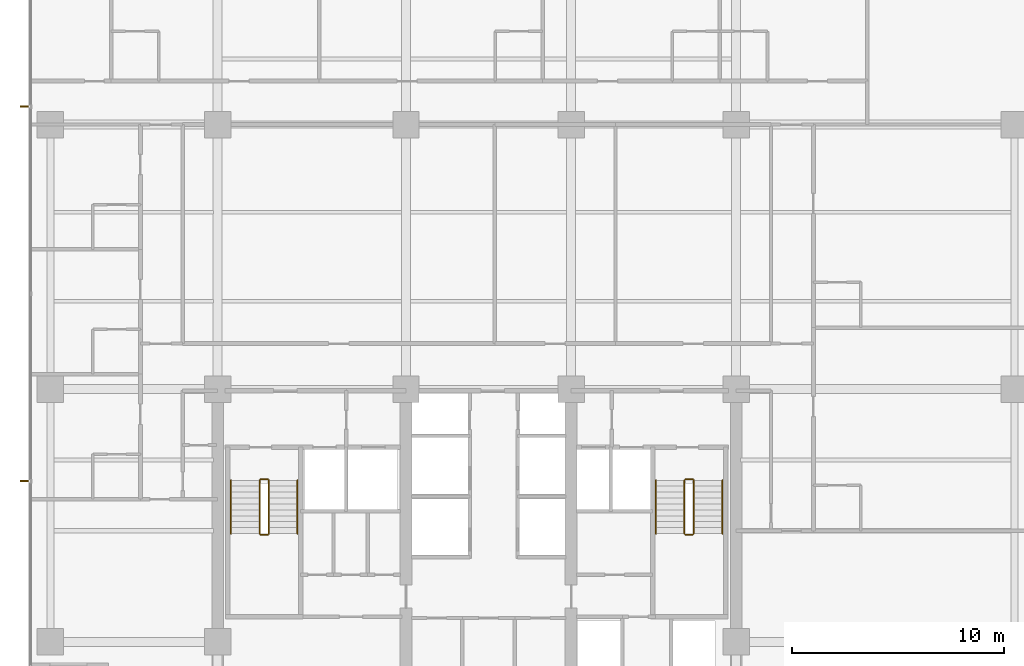
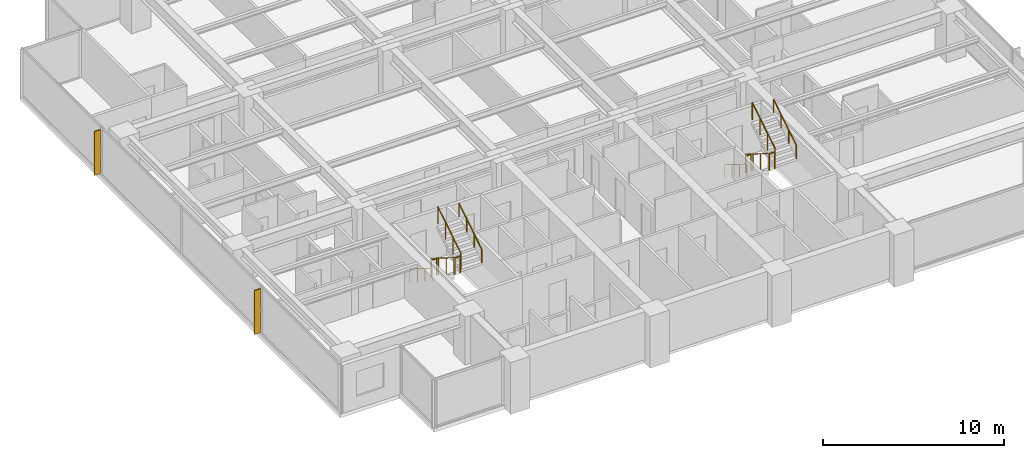
# One storey, part 16 of 17: 12 railings, 2 shading devices.
"""IFC4 building model written with IfcOpenShell, lengths in metres."""

from ifc_helpers import new_model, si_unit, direction, frame, origin, origin_2d, place, context, subcontext, project, spatial, polyline, circle, outline, extrude, material, layer, layer_set, type_object, element, save


model = new_model("IFC4")

# Units and contexts
model_context = context("Model", 3, precision=1e-05, world=origin(), true_north=direction((0.0, 1.0)))
body_context = subcontext(model_context, "Body", "Model", "MODEL_VIEW")
ifc_project = project(units=[si_unit("LENGTHUNIT", "METRE"), si_unit("AREAUNIT", "SQUARE_METRE"), si_unit("VOLUMEUNIT", "CUBIC_METRE"), si_unit("PLANEANGLEUNIT", "RADIAN"), si_unit("MASSUNIT", "GRAM", prefix="KILO")], contexts=[model_context])

# Site, building, storey
site_placement = place(None, origin())
site = spatial("IfcSite", under=ifc_project, at=site_placement, CompositionType="ELEMENT")
building_placement = place(site_placement, origin())
building = spatial("IfcBuilding", under=site, at=building_placement, Name="Qalmaran Belvedere Hotel", CompositionType="ELEMENT")
storey_placement = place(building_placement, frame((0.0, 0.0, 98.699951171875)))
storey = spatial("IfcBuildingStorey", under=building, at=storey_placement, Name="L24", CompositionType="ELEMENT", Elevation=98.699951171875)

# Shading devices
ifc_material_1 = material(Name="Anodised Bronze Aluminium", Category="aluminium")
ifc_layer = layer(ifc_material_1, 0.06494140625, Name="Anodised Bronze Aluminium")
ifc_layer_set = layer_set([ifc_layer], Name="Anodised Bronze Aluminium")
shading_device_type = type_object("IfcShadingDeviceType", Name="FIN-BRNZ-420", PredefinedType="USERDEFINED", material=ifc_layer_set)
shading_device_1_placement = place(storey_placement, frame((0.0, 0.0, 0.16015625)))
element("IfcShadingDevice", 1, at=shading_device_1_placement, inside=storey, type_object=shading_device_type, Name="L24 Bronze Fin 1", ObjectType="FIN", PredefinedType="USERDEFINED", context=body_context, shape_type="SweptSolid", body=[
    extrude(outline(polyline([(11.3798828125, 33.882568359375), (10.9599609375, 33.882568359375), (10.9599609375, 33.8173828125), (11.3798828125, 33.8173828125), (11.3798828125, 33.882568359375)])), origin(), (0.0, 0.0, 1.0), 2.9599609375),
])
shading_device_2_placement = place(storey_placement, frame((0.0, 0.0, 0.16015625)))
element("IfcShadingDevice", 2, at=shading_device_2_placement, inside=storey, type_object=shading_device_type, Name="L24 Bronze Fin 3", ObjectType="FIN", PredefinedType="USERDEFINED", context=body_context, shape_type="SweptSolid", body=[
    extrude(outline(polyline([(11.3798828125, 16.1826171875), (10.9599609375, 16.1826171875), (10.9599609375, 16.117431640625), (11.3798828125, 16.117431640625), (11.3798828125, 16.1826171875)])), origin(), (0.0, 0.0, 1.0), 2.9599609375),
])

# Railings
ifc_material_2 = material(Name="Stainless Steel 1.4401", Category="steel")
railing_type_1 = type_object("IfcRailingType", Name="RLG-STAIR-GUARD-1150", PredefinedType="GUARDRAIL", material=ifc_material_2)
railing_1_placement = place(storey_placement, frame((22.280029296875, 16.18994140625, 0.175048828125)))
element("IfcRailing", 3, at=railing_1_placement, inside=storey, type_object=railing_type_1, Name="L24 ST-1 stair guard 1", PredefinedType="GUARDRAIL", context=body_context, shape_type="SweptSolid", body=[
    extrude(circle(Radius=0.02392578125, at=origin_2d()), frame((0.0, 0.0, 1.1259765625), z_axis=(0.0, -0.848007534815, 0.529984170421), x_axis=(1.0, 0.0, 0.0)), (0.0, 0.0, 1.0), 2.9716796875),
    extrude(circle(Radius=0.02099609375, at=origin_2d()), origin(), (0.0, 0.0, 1.0), 1.101806640625),
    extrude(circle(Radius=0.02099609375, at=origin_2d()), frame((0.0, -0.840087890625, 0.52490234375)), (0.0, 0.0, 1.0), 1.101806640625),
    extrude(circle(Radius=0.02099609375, at=origin_2d()), frame((0.0, -1.679931640625, 1.050048828125)), (0.0, 0.0, 1.0), 1.101806640625),
    extrude(circle(Radius=0.02099609375, at=origin_2d()), frame((0.0, -2.52001953125, 1.574951171875)), (0.0, 0.0, 1.0), 1.101806640625),
])
railing_2_placement = place(storey_placement, frame((22.330078125, 13.6201171875, 1.75)))
element("IfcRailing", 4, at=railing_2_placement, inside=storey, type_object=railing_type_1, Name="L24 ST-1 stair guard 2", PredefinedType="GUARDRAIL", context=body_context, shape_type="SweptSolid", body=[
    extrude(circle(Radius=0.02392578125, at=origin_2d()), frame((0.0, 0.0, 1.1259765625), z_axis=(1.0, 0.0, 0.0), x_axis=(0.0, 1.0, 0.0)), (0.0, 0.0, 1.0), 0.33984375),
    extrude(circle(Radius=0.02099609375, at=origin_2d()), origin(), (0.0, 0.0, 1.0), 1.101806640625),
    extrude(circle(Radius=0.02099609375, at=origin_2d()), frame((0.33984375, 0.0, 0.0)), (0.0, 0.0, 1.0), 1.101806640625),
])
railing_3_placement = place(storey_placement, frame((22.719970703125, 13.669921875, 1.925048828125)))
element("IfcRailing", 5, at=railing_3_placement, inside=storey, type_object=railing_type_1, Name="L24 ST-1 stair guard 3", PredefinedType="GUARDRAIL", context=body_context, shape_type="SweptSolid", body=[
    extrude(circle(Radius=0.02392578125, at=origin_2d()), frame((0.0, 0.0, 1.1259765625), z_axis=(0.0, 0.848007534815, 0.529984170421), x_axis=(-1.0, 0.0, 0.0)), (0.0, 0.0, 1.0), 2.9716796875),
    extrude(circle(Radius=0.02099609375, at=origin_2d()), origin(), (0.0, 0.0, 1.0), 1.101806640625),
    extrude(circle(Radius=0.02099609375, at=origin_2d()), frame((0.0, 0.840087890625, 0.52490234375)), (0.0, 0.0, 1.0), 1.101806640625),
    extrude(circle(Radius=0.02099609375, at=origin_2d()), frame((0.0, 1.679931640625, 1.050048828125)), (0.0, 0.0, 1.0), 1.101806640625),
    extrude(circle(Radius=0.02099609375, at=origin_2d()), frame((0.0, 2.52001953125, 1.574951171875)), (0.0, 0.0, 1.0), 1.101806640625),
])
railing_4_placement = place(storey_placement, frame((22.330078125, 16.239990234375, 0.0)))
element("IfcRailing", 6, at=railing_4_placement, inside=storey, type_object=railing_type_1, Name="L24 ST-1 stair guard 4", PredefinedType="GUARDRAIL", context=body_context, shape_type="SweptSolid", body=[
    extrude(circle(Radius=0.02392578125, at=origin_2d()), frame((0.0, 0.0, 1.1259765625), z_axis=(1.0, 0.0, 0.0), x_axis=(0.0, 1.0, 0.0)), (0.0, 0.0, 1.0), 0.33984375),
    extrude(circle(Radius=0.02099609375, at=origin_2d()), origin(), (0.0, 0.0, 1.0), 1.101806640625),
    extrude(circle(Radius=0.02099609375, at=origin_2d()), frame((0.33984375, 0.0, 0.0)), (0.0, 0.0, 1.0), 1.101806640625),
])
railing_5_placement = place(storey_placement, frame((42.360107421875, 16.18994140625, 0.175048828125)))
element("IfcRailing", 7, at=railing_5_placement, inside=storey, type_object=railing_type_1, Name="L24 ST-2 stair guard 1", PredefinedType="GUARDRAIL", context=body_context, shape_type="SweptSolid", body=[
    extrude(circle(Radius=0.02392578125, at=origin_2d()), frame((0.0, 0.0, 1.1259765625), z_axis=(0.0, -0.848007534815, 0.529984170421), x_axis=(1.0, 0.0, 0.0)), (0.0, 0.0, 1.0), 2.9716796875),
    extrude(circle(Radius=0.02099609375, at=origin_2d()), origin(), (0.0, 0.0, 1.0), 1.101806640625),
    extrude(circle(Radius=0.02099609375, at=origin_2d()), frame((0.0, -0.840087890625, 0.52490234375)), (0.0, 0.0, 1.0), 1.101806640625),
    extrude(circle(Radius=0.02099609375, at=origin_2d()), frame((0.0, -1.679931640625, 1.050048828125)), (0.0, 0.0, 1.0), 1.101806640625),
    extrude(circle(Radius=0.02099609375, at=origin_2d()), frame((0.0, -2.52001953125, 1.574951171875)), (0.0, 0.0, 1.0), 1.101806640625),
])
railing_6_placement = place(storey_placement, frame((42.409912109375, 13.6201171875, 1.75)))
element("IfcRailing", 8, at=railing_6_placement, inside=storey, type_object=railing_type_1, Name="L24 ST-2 stair guard 2", PredefinedType="GUARDRAIL", context=body_context, shape_type="SweptSolid", body=[
    extrude(circle(Radius=0.02392578125, at=origin_2d()), frame((0.0, 0.0, 1.1259765625), z_axis=(1.0, 0.0, 0.0), x_axis=(0.0, 1.0, 0.0)), (0.0, 0.0, 1.0), 0.340087890625),
    extrude(circle(Radius=0.02099609375, at=origin_2d()), origin(), (0.0, 0.0, 1.0), 1.101806640625),
    extrude(circle(Radius=0.02099609375, at=origin_2d()), frame((0.340087890625, 0.0, 0.0)), (0.0, 0.0, 1.0), 1.101806640625),
])
railing_7_placement = place(storey_placement, frame((42.800048828125, 13.669921875, 1.925048828125)))
element("IfcRailing", 9, at=railing_7_placement, inside=storey, type_object=railing_type_1, Name="L24 ST-2 stair guard 3", PredefinedType="GUARDRAIL", context=body_context, shape_type="SweptSolid", body=[
    extrude(circle(Radius=0.02392578125, at=origin_2d()), frame((0.0, 0.0, 1.1259765625), z_axis=(0.0, 0.848007534815, 0.529984170421), x_axis=(-1.0, 0.0, 0.0)), (0.0, 0.0, 1.0), 2.9716796875),
    extrude(circle(Radius=0.02099609375, at=origin_2d()), origin(), (0.0, 0.0, 1.0), 1.101806640625),
    extrude(circle(Radius=0.02099609375, at=origin_2d()), frame((0.0, 0.840087890625, 0.52490234375)), (0.0, 0.0, 1.0), 1.101806640625),
    extrude(circle(Radius=0.02099609375, at=origin_2d()), frame((0.0, 1.679931640625, 1.050048828125)), (0.0, 0.0, 1.0), 1.101806640625),
    extrude(circle(Radius=0.02099609375, at=origin_2d()), frame((0.0, 2.52001953125, 1.574951171875)), (0.0, 0.0, 1.0), 1.101806640625),
])
railing_8_placement = place(storey_placement, frame((42.409912109375, 16.239990234375, 0.0)))
element("IfcRailing", 10, at=railing_8_placement, inside=storey, type_object=railing_type_1, Name="L24 ST-2 stair guard 4", PredefinedType="GUARDRAIL", context=body_context, shape_type="SweptSolid", body=[
    extrude(circle(Radius=0.02392578125, at=origin_2d()), frame((0.0, 0.0, 1.1259765625), z_axis=(1.0, 0.0, 0.0), x_axis=(0.0, 1.0, 0.0)), (0.0, 0.0, 1.0), 0.340087890625),
    extrude(circle(Radius=0.02099609375, at=origin_2d()), origin(), (0.0, 0.0, 1.0), 1.101806640625),
    extrude(circle(Radius=0.02099609375, at=origin_2d()), frame((0.340087890625, 0.0, 0.0)), (0.0, 0.0, 1.0), 1.101806640625),
])
railing_type_2 = type_object("IfcRailingType", Name="RLG-STAIR-HAND-910", PredefinedType="HANDRAIL", material=ifc_material_2)
railing_9_placement = place(storey_placement, frame((20.929931640625, 16.18994140625, 0.175048828125)))
element("IfcRailing", 11, at=railing_9_placement, inside=storey, type_object=railing_type_2, Name="L24 ST-1 stair handrail 1", PredefinedType="HANDRAIL", context=body_context, shape_type="SweptSolid", body=[
    extrude(circle(Radius=0.02392578125, at=origin_2d()), frame((0.0, 0.0, 0.8857421875), z_axis=(0.0, -0.848007534815, 0.529984170421), x_axis=(1.0, 0.0, 0.0)), (0.0, 0.0, 1.0), 2.9716796875),
    extrude(circle(Radius=0.02099609375, at=origin_2d()), origin(), (0.0, 0.0, 1.0), 0.86181640625),
    extrude(circle(Radius=0.02099609375, at=origin_2d()), frame((0.0, -0.840087890625, 0.52490234375)), (0.0, 0.0, 1.0), 0.86181640625),
    extrude(circle(Radius=0.02099609375, at=origin_2d()), frame((0.0, -1.679931640625, 1.050048828125)), (0.0, 0.0, 1.0), 0.86181640625),
    extrude(circle(Radius=0.02099609375, at=origin_2d()), frame((0.0, -2.52001953125, 1.574951171875)), (0.0, 0.0, 1.0), 0.86181640625),
])
railing_10_placement = place(storey_placement, frame((24.070068359375, 13.669921875, 1.925048828125)))
element("IfcRailing", 12, at=railing_10_placement, inside=storey, type_object=railing_type_2, Name="L24 ST-1 stair handrail 2", PredefinedType="HANDRAIL", context=body_context, shape_type="SweptSolid", body=[
    extrude(circle(Radius=0.02392578125, at=origin_2d()), frame((0.0, 0.0, 0.8857421875), z_axis=(0.0, 0.848007534815, 0.529984170421), x_axis=(-1.0, 0.0, 0.0)), (0.0, 0.0, 1.0), 2.9716796875),
    extrude(circle(Radius=0.02099609375, at=origin_2d()), origin(), (0.0, 0.0, 1.0), 0.86181640625),
    extrude(circle(Radius=0.02099609375, at=origin_2d()), frame((0.0, 0.840087890625, 0.52490234375)), (0.0, 0.0, 1.0), 0.86181640625),
    extrude(circle(Radius=0.02099609375, at=origin_2d()), frame((0.0, 1.679931640625, 1.050048828125)), (0.0, 0.0, 1.0), 0.86181640625),
    extrude(circle(Radius=0.02099609375, at=origin_2d()), frame((0.0, 2.52001953125, 1.574951171875)), (0.0, 0.0, 1.0), 0.86181640625),
])
railing_11_placement = place(storey_placement, frame((41.010009765625, 16.18994140625, 0.175048828125)))
element("IfcRailing", 13, at=railing_11_placement, inside=storey, type_object=railing_type_2, Name="L24 ST-2 stair handrail 1", PredefinedType="HANDRAIL", context=body_context, shape_type="SweptSolid", body=[
    extrude(circle(Radius=0.02392578125, at=origin_2d()), frame((0.0, 0.0, 0.8857421875), z_axis=(0.0, -0.848007534815, 0.529984170421), x_axis=(1.0, 0.0, 0.0)), (0.0, 0.0, 1.0), 2.9716796875),
    extrude(circle(Radius=0.02099609375, at=origin_2d()), origin(), (0.0, 0.0, 1.0), 0.86181640625),
    extrude(circle(Radius=0.02099609375, at=origin_2d()), frame((0.0, -0.840087890625, 0.52490234375)), (0.0, 0.0, 1.0), 0.86181640625),
    extrude(circle(Radius=0.02099609375, at=origin_2d()), frame((0.0, -1.679931640625, 1.050048828125)), (0.0, 0.0, 1.0), 0.86181640625),
    extrude(circle(Radius=0.02099609375, at=origin_2d()), frame((0.0, -2.52001953125, 1.574951171875)), (0.0, 0.0, 1.0), 0.86181640625),
])
railing_12_placement = place(storey_placement, frame((44.14990234375, 13.669921875, 1.925048828125)))
element("IfcRailing", 14, at=railing_12_placement, inside=storey, type_object=railing_type_2, Name="L24 ST-2 stair handrail 2", PredefinedType="HANDRAIL", context=body_context, shape_type="SweptSolid", body=[
    extrude(circle(Radius=0.02392578125, at=origin_2d()), frame((0.0, 0.0, 0.8857421875), z_axis=(0.0, 0.848007534815, 0.529984170421), x_axis=(-1.0, 0.0, 0.0)), (0.0, 0.0, 1.0), 2.9716796875),
    extrude(circle(Radius=0.02099609375, at=origin_2d()), origin(), (0.0, 0.0, 1.0), 0.86181640625),
    extrude(circle(Radius=0.02099609375, at=origin_2d()), frame((0.0, 0.840087890625, 0.52490234375)), (0.0, 0.0, 1.0), 0.86181640625),
    extrude(circle(Radius=0.02099609375, at=origin_2d()), frame((0.0, 1.679931640625, 1.050048828125)), (0.0, 0.0, 1.0), 0.86181640625),
    extrude(circle(Radius=0.02099609375, at=origin_2d()), frame((0.0, 2.52001953125, 1.574951171875)), (0.0, 0.0, 1.0), 0.86181640625),
])

save(model, "model.ifc")
